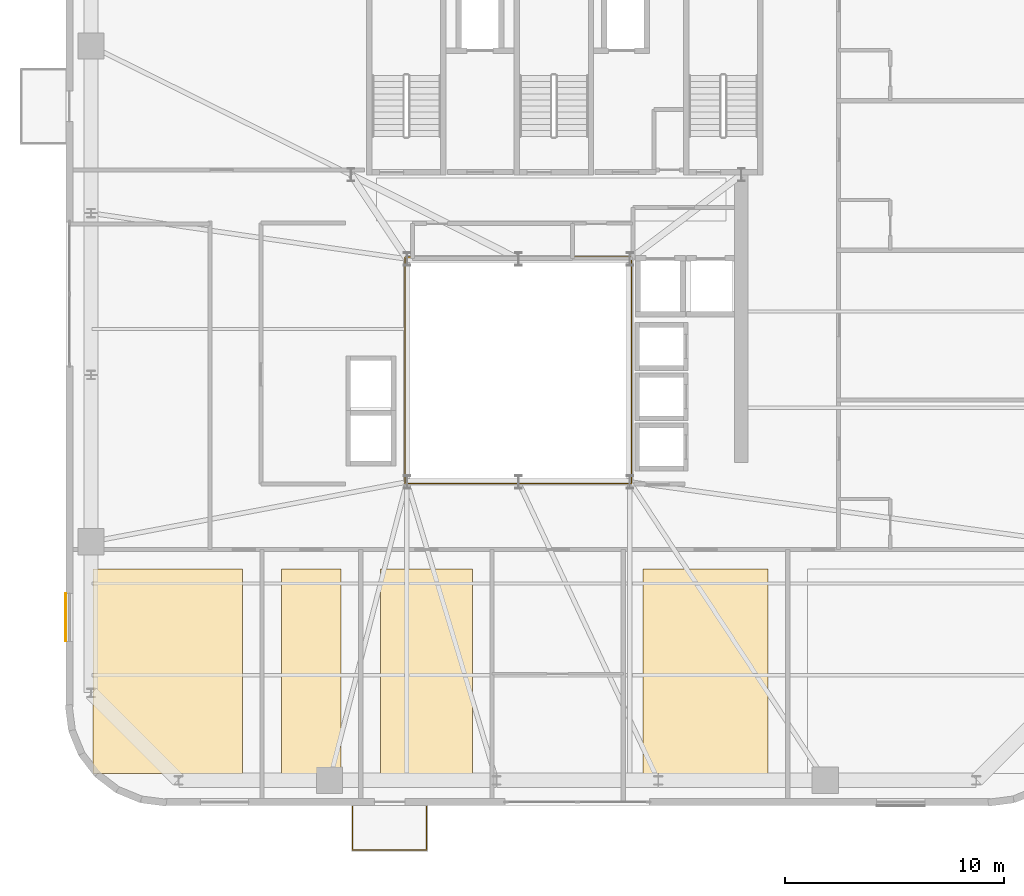
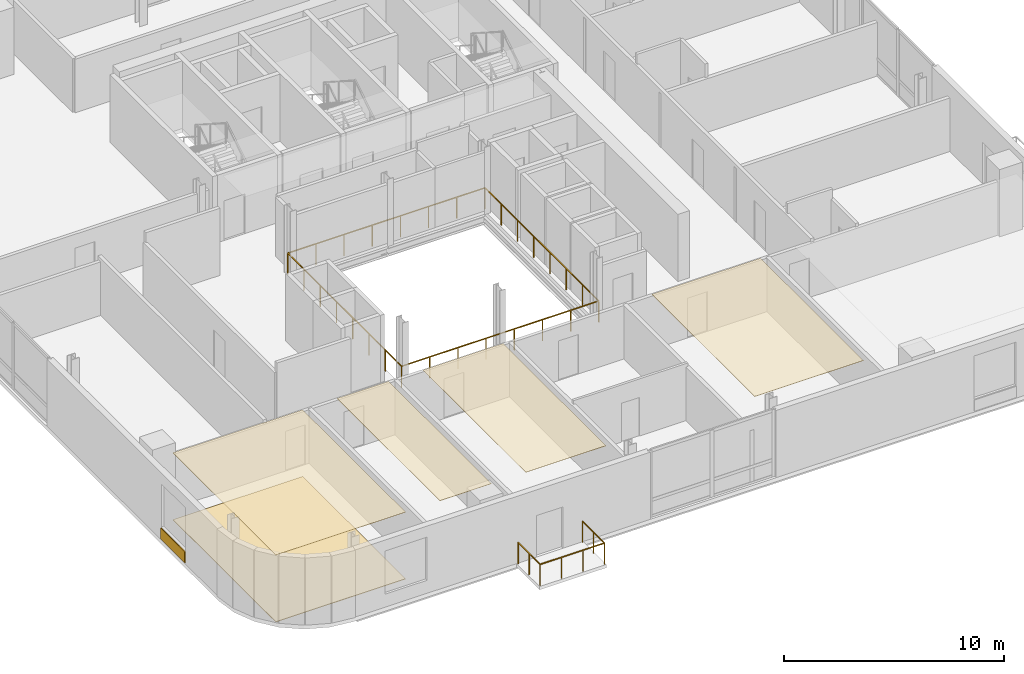
# One storey, part 12 of 15: 6 coverings, 2 railings.
"""IFC4 building model written with IfcOpenShell, lengths in metres."""

from ifc_helpers import new_model, si_unit, direction, frame, origin, origin_2d, place, context, subcontext, project, spatial, polyline, rectangle, outline, extrude, source, transform, mapped, material, layer, layer_set, type_object, element, save


model = new_model("IFC4")

# Units and contexts
model_context = context("Model", 3, precision=1e-05, world=origin(), true_north=direction((0.0, 1.0)))
body_context = subcontext(model_context, "Body", "Model", "MODEL_VIEW")
ifc_project = project(units=[si_unit("LENGTHUNIT", "METRE"), si_unit("AREAUNIT", "SQUARE_METRE"), si_unit("VOLUMEUNIT", "CUBIC_METRE"), si_unit("PLANEANGLEUNIT", "RADIAN"), si_unit("MASSUNIT", "GRAM", prefix="KILO")], contexts=[model_context])

# Site, building, storey
site_placement = place(None, origin())
site = spatial("IfcSite", under=ifc_project, at=site_placement, CompositionType="ELEMENT")
building_placement = place(site_placement, origin())
building = spatial("IfcBuilding", under=site, at=building_placement, Name="Vardaveli Station Tower", CompositionType="ELEMENT")
storey_placement = place(building_placement, frame((0.0, 0.0, 246.64990234375)))
storey = spatial("IfcBuildingStorey", under=building, at=storey_placement, Name="L63", CompositionType="ELEMENT", Elevation=246.64990234375)

# Coverings
ifc_material_1 = material(Name="Perforated acoustic mineral ceiling")
ifc_layer_1 = layer(ifc_material_1, 0.02001953125, Name="Perforated acoustic mineral ceiling")
ifc_layer_set_1 = layer_set([ifc_layer_1], Name="Perforated acoustic mineral ceiling")
covering_type_1 = type_object("IfcCoveringType", Name="COV-CEIL-AC20", PredefinedType="CEILING", material=ifc_layer_set_1)
covering_1_placement = place(storey_placement, frame((0.0, 0.0, 3.715087890625)))
element("IfcCovering", 1, at=covering_1_placement, inside=storey, type_object=covering_type_1, Name="CEIL-L63-1", PredefinedType="CEILING", context=body_context, shape_type="SweptSolid", body=[
    extrude(outline(polyline([(16.85009765625, 3.25), (23.669921875, 3.25), (23.669921875, 12.610107421875), (16.85009765625, 12.610107421875), (16.85009765625, 3.25)])), origin(), (0.0, 0.0, 1.0), 0.02001953125),
])
covering_2_placement = place(storey_placement, frame((0.0, 0.0, 3.715087890625)))
element("IfcCovering", 2, at=covering_2_placement, inside=storey, type_object=covering_type_1, Name="CEIL-L63-2", PredefinedType="CEILING", context=body_context, shape_type="SweptSolid", body=[
    extrude(outline(polyline([(25.469970703125, 3.25), (28.1826171875, 3.25), (28.1826171875, 12.610107421875), (25.469970703125, 12.610107421875), (25.469970703125, 3.25)])), origin(), (0.0, 0.0, 1.0), 0.02001953125),
])
covering_3_placement = place(storey_placement, frame((0.0, 0.0, 3.715087890625)))
element("IfcCovering", 3, at=covering_3_placement, inside=storey, type_object=covering_type_1, Name="CEIL-L63-3", PredefinedType="CEILING", context=body_context, shape_type="SweptSolid", body=[
    extrude(outline(polyline([(29.982421875, 3.25), (34.195068359375, 3.25), (34.195068359375, 12.610107421875), (29.982421875, 12.610107421875), (29.982421875, 3.25)])), origin(), (0.0, 0.0, 1.0), 0.02001953125),
])
covering_4_placement = place(storey_placement, frame((0.0, 0.0, 3.715087890625)))
element("IfcCovering", 4, at=covering_4_placement, inside=storey, type_object=covering_type_1, Name="CEIL-L63-4", PredefinedType="CEILING", context=body_context, shape_type="SweptSolid", body=[
    extrude(outline(polyline([(42.007568359375, 3.25), (47.719970703125, 3.25), (47.719970703125, 12.610107421875), (42.007568359375, 12.610107421875), (42.007568359375, 3.25)])), origin(), (0.0, 0.0, 1.0), 0.02001953125),
])
ifc_material_2 = material(Name="Honed Caucasian basalt and travertine flooring", Category="masonry")
ifc_layer_2 = layer(ifc_material_2, 0.030029296875, Name="Honed Caucasian basalt and travertine flooring")
ifc_layer_set_2 = layer_set([ifc_layer_2], Name="Honed Caucasian basalt and travertine flooring")
covering_type_2 = type_object("IfcCoveringType", Name="COV-FLOOR-ST30", PredefinedType="FLOORING", material=ifc_layer_set_2)
covering_5_placement = place(storey_placement, origin())
element("IfcCovering", 5, at=covering_5_placement, inside=storey, type_object=covering_type_2, Name="FLR-L63-1", PredefinedType="FLOORING", context=body_context, shape_type="SweptSolid", body=[
    extrude(outline(polyline([(16.85009765625, 3.25), (23.669921875, 3.25), (23.669921875, 12.610107421875), (16.85009765625, 12.610107421875), (16.85009765625, 3.25)])), origin(), (0.0, 0.0, 1.0), 0.030029296875),
])
ifc_material_3 = material(Name="Ventilated honed travertine stone cladding", Category="masonry")
ifc_layer_3 = layer(ifc_material_3, 0.044921875, Name="Ventilated honed travertine stone cladding")
ifc_layer_set_3 = layer_set([ifc_layer_3], Name="Ventilated honed travertine stone cladding")
covering_type_3 = type_object("IfcCoveringType", Name="COV-CLAD-TR45", PredefinedType="CLADDING", material=ifc_layer_set_3)
shared_shape_1 = source(origin(), body_context, "Body", "SweptSolid", [
    extrude(rectangle(XDim=2.199951171875, YDim=0.044921875, at=origin_2d()), origin(), (0.0, 0.0, 1.0), 0.6201171875),
])
covering_6_placement = place(storey_placement, frame((15.58544921875, 10.405029296875, 0.070068359375), z_axis=(0.0, 0.0, 1.0), x_axis=(0.0, 1.0, 0.0)))
element("IfcCovering", 6, at=covering_6_placement, inside=storey, type_object=covering_type_3, Name="CLD-TR-L63-W", PredefinedType="CLADDING", context=body_context, shape_type="MappedRepresentation", body=[
    mapped(shared_shape_1, transform((0.0, 0.0, 0.0), scale=1.0)),
])

# Railings
ifc_material_4 = material(Name="Laminated glass and stainless steel balustrade", Category="steel")
railing_type = type_object("IfcRailingType", Name="RL-BAL-1200", PredefinedType="BALUSTRADE", material=ifc_material_4)
shared_shape_2 = source(origin(), body_context, "Body", "SweptSolid", [
    extrude(rectangle(XDim=0.048095703125, YDim=0.048095703125, at=origin_2d()), frame((0.0, 0.0, 1.17578125), z_axis=(0.0, -1.0, 0.0), x_axis=(1.0, 0.0, 0.0)), (0.0, 0.0, 1.0), 2.0),
    extrude(rectangle(XDim=0.048095703125, YDim=0.048095703125, at=origin_2d()), frame((0.0, -2.0, 1.17578125), z_axis=(1.0, 0.0, 0.0), x_axis=(0.0, 1.0, 0.0)), (0.0, 0.0, 1.0), 3.3798828125),
    extrude(rectangle(XDim=0.048095703125, YDim=0.048095703125, at=origin_2d()), frame((3.3798828125, -2.0, 1.17578125), z_axis=(0.0, 1.0, 0.0), x_axis=(-1.0, 0.0, 0.0)), (0.0, 0.0, 1.0), 2.0),
    extrude(rectangle(XDim=0.0419921875, YDim=0.0419921875, at=origin_2d()), origin(), (0.0, 0.0, 1.0), 1.15185546875),
    extrude(rectangle(XDim=0.0419921875, YDim=0.0419921875, at=origin_2d()), frame((0.0, -1.0, 0.0)), (0.0, 0.0, 1.0), 1.15185546875),
    extrude(rectangle(XDim=0.0419921875, YDim=0.0419921875, at=origin_2d()), frame((0.0, -2.0, 0.0)), (0.0, 0.0, 1.0), 1.15185546875),
    extrude(rectangle(XDim=0.0419921875, YDim=0.0419921875, at=origin_2d()), frame((1.126708984375, -2.0, 0.0)), (0.0, 0.0, 1.0), 1.15185546875),
    extrude(rectangle(XDim=0.0419921875, YDim=0.0419921875, at=origin_2d()), frame((2.253173828125, -2.0, 0.0)), (0.0, 0.0, 1.0), 1.15185546875),
    extrude(rectangle(XDim=0.0419921875, YDim=0.0419921875, at=origin_2d()), frame((3.3798828125, -2.0, 0.0)), (0.0, 0.0, 1.0), 1.15185546875),
    extrude(rectangle(XDim=0.0419921875, YDim=0.0419921875, at=origin_2d()), frame((3.3798828125, -1.0, 0.0)), (0.0, 0.0, 1.0), 1.15185546875),
    extrude(rectangle(XDim=0.0419921875, YDim=0.0419921875, at=origin_2d()), frame((3.3798828125, 0.0, 0.0)), (0.0, 0.0, 1.0), 1.15185546875),
])
railing_1_placement = place(storey_placement, frame((28.720458984375, 1.760009765625, 0.0)))
element("IfcRailing", 7, at=railing_1_placement, inside=storey, type_object=railing_type, Name="RL-LOG-L63-01", PredefinedType="BALUSTRADE", context=body_context, shape_type="MappedRepresentation", body=[
    mapped(shared_shape_2, transform((0.0, 0.0, 0.0), scale=1.0)),
])
shared_shape_3 = source(origin(), body_context, "Body", "SweptSolid", [
    extrude(rectangle(XDim=0.048095703125, YDim=0.048095703125, at=origin_2d()), frame((0.0, 0.0, 1.17578125), z_axis=(1.0, 0.0, 0.0), x_axis=(0.0, 1.0, 0.0)), (0.0, 0.0, 1.0), 10.35986328125),
    extrude(rectangle(XDim=0.048095703125, YDim=0.048095703125, at=origin_2d()), frame((10.35986328125, 0.0, 1.17578125), z_axis=(0.0, 1.0, 0.0), x_axis=(-1.0, 0.0, 0.0)), (0.0, 0.0, 1.0), 10.35986328125),
    extrude(rectangle(XDim=0.048095703125, YDim=0.048095703125, at=origin_2d()), frame((10.35986328125, 10.35986328125, 1.17578125), z_axis=(-1.0, 0.0, 0.0), x_axis=(0.0, -1.0, 0.0)), (0.0, 0.0, 1.0), 10.35986328125),
    extrude(rectangle(XDim=0.048095703125, YDim=0.048095703125, at=origin_2d()), frame((0.0, 10.35986328125, 1.17578125), z_axis=(0.0, -1.0, 0.0), x_axis=(1.0, 0.0, 0.0)), (0.0, 0.0, 1.0), 10.35986328125),
    extrude(rectangle(XDim=0.0419921875, YDim=0.0419921875, at=origin_2d()), origin(), (0.0, 0.0, 1.0), 1.15185546875),
    extrude(rectangle(XDim=0.0419921875, YDim=0.0419921875, at=origin_2d()), frame((1.47998046875, 0.0, 0.0)), (0.0, 0.0, 1.0), 1.15185546875),
    extrude(rectangle(XDim=0.0419921875, YDim=0.0419921875, at=origin_2d()), frame((2.9599609375, 0.0, 0.0)), (0.0, 0.0, 1.0), 1.15185546875),
    extrude(rectangle(XDim=0.0419921875, YDim=0.0419921875, at=origin_2d()), frame((4.43994140625, 0.0, 0.0)), (0.0, 0.0, 1.0), 1.15185546875),
    extrude(rectangle(XDim=0.0419921875, YDim=0.0419921875, at=origin_2d()), frame((5.919921875, 0.0, 0.0)), (0.0, 0.0, 1.0), 1.15185546875),
    extrude(rectangle(XDim=0.0419921875, YDim=0.0419921875, at=origin_2d()), frame((7.39990234375, 0.0, 0.0)), (0.0, 0.0, 1.0), 1.15185546875),
    extrude(rectangle(XDim=0.0419921875, YDim=0.0419921875, at=origin_2d()), frame((8.8798828125, 0.0, 0.0)), (0.0, 0.0, 1.0), 1.15185546875),
    extrude(rectangle(XDim=0.0419921875, YDim=0.0419921875, at=origin_2d()), frame((10.35986328125, 0.0, 0.0)), (0.0, 0.0, 1.0), 1.15185546875),
    extrude(rectangle(XDim=0.0419921875, YDim=0.0419921875, at=origin_2d()), frame((10.35986328125, 1.47998046875, 0.0)), (0.0, 0.0, 1.0), 1.15185546875),
    extrude(rectangle(XDim=0.0419921875, YDim=0.0419921875, at=origin_2d()), frame((10.35986328125, 2.9599609375, 0.0)), (0.0, 0.0, 1.0), 1.15185546875),
    extrude(rectangle(XDim=0.0419921875, YDim=0.0419921875, at=origin_2d()), frame((10.35986328125, 4.43994140625, 0.0)), (0.0, 0.0, 1.0), 1.15185546875),
    extrude(rectangle(XDim=0.0419921875, YDim=0.0419921875, at=origin_2d()), frame((10.35986328125, 5.919921875, 0.0)), (0.0, 0.0, 1.0), 1.15185546875),
    extrude(rectangle(XDim=0.0419921875, YDim=0.0419921875, at=origin_2d()), frame((10.35986328125, 7.39990234375, 0.0)), (0.0, 0.0, 1.0), 1.15185546875),
    extrude(rectangle(XDim=0.0419921875, YDim=0.0419921875, at=origin_2d()), frame((10.35986328125, 8.8798828125, 0.0)), (0.0, 0.0, 1.0), 1.15185546875),
    extrude(rectangle(XDim=0.0419921875, YDim=0.0419921875, at=origin_2d()), frame((10.35986328125, 10.35986328125, 0.0)), (0.0, 0.0, 1.0), 1.15185546875),
    extrude(rectangle(XDim=0.0419921875, YDim=0.0419921875, at=origin_2d()), frame((8.8798828125, 10.35986328125, 0.0)), (0.0, 0.0, 1.0), 1.15185546875),
    extrude(rectangle(XDim=0.0419921875, YDim=0.0419921875, at=origin_2d()), frame((7.39990234375, 10.35986328125, 0.0)), (0.0, 0.0, 1.0), 1.15185546875),
    extrude(rectangle(XDim=0.0419921875, YDim=0.0419921875, at=origin_2d()), frame((5.919921875, 10.35986328125, 0.0)), (0.0, 0.0, 1.0), 1.15185546875),
    extrude(rectangle(XDim=0.0419921875, YDim=0.0419921875, at=origin_2d()), frame((4.43994140625, 10.35986328125, 0.0)), (0.0, 0.0, 1.0), 1.15185546875),
    extrude(rectangle(XDim=0.0419921875, YDim=0.0419921875, at=origin_2d()), frame((2.9599609375, 10.35986328125, 0.0)), (0.0, 0.0, 1.0), 1.15185546875),
    extrude(rectangle(XDim=0.0419921875, YDim=0.0419921875, at=origin_2d()), frame((1.47998046875, 10.35986328125, 0.0)), (0.0, 0.0, 1.0), 1.15185546875),
    extrude(rectangle(XDim=0.0419921875, YDim=0.0419921875, at=origin_2d()), frame((0.0, 10.35986328125, 0.0)), (0.0, 0.0, 1.0), 1.15185546875),
    extrude(rectangle(XDim=0.0419921875, YDim=0.0419921875, at=origin_2d()), frame((0.0, 8.8798828125, 0.0)), (0.0, 0.0, 1.0), 1.15185546875),
    extrude(rectangle(XDim=0.0419921875, YDim=0.0419921875, at=origin_2d()), frame((0.0, 7.39990234375, 0.0)), (0.0, 0.0, 1.0), 1.15185546875),
    extrude(rectangle(XDim=0.0419921875, YDim=0.0419921875, at=origin_2d()), frame((0.0, 5.919921875, 0.0)), (0.0, 0.0, 1.0), 1.15185546875),
    extrude(rectangle(XDim=0.0419921875, YDim=0.0419921875, at=origin_2d()), frame((0.0, 4.43994140625, 0.0)), (0.0, 0.0, 1.0), 1.15185546875),
    extrude(rectangle(XDim=0.0419921875, YDim=0.0419921875, at=origin_2d()), frame((0.0, 2.9599609375, 0.0)), (0.0, 0.0, 1.0), 1.15185546875),
    extrude(rectangle(XDim=0.0419921875, YDim=0.0419921875, at=origin_2d()), frame((0.0, 1.47998046875, 0.0)), (0.0, 0.0, 1.0), 1.15185546875),
])
railing_2_placement = place(storey_placement, frame((31.1201171875, 16.52001953125, 0.0)))
element("IfcRailing", 8, at=railing_2_placement, inside=storey, type_object=railing_type, Name="RL-ATR-L63", PredefinedType="BALUSTRADE", context=body_context, shape_type="MappedRepresentation", body=[
    mapped(shared_shape_3, transform((0.0, 0.0, 0.0), scale=1.0)),
])

save(model, "model.ifc")
